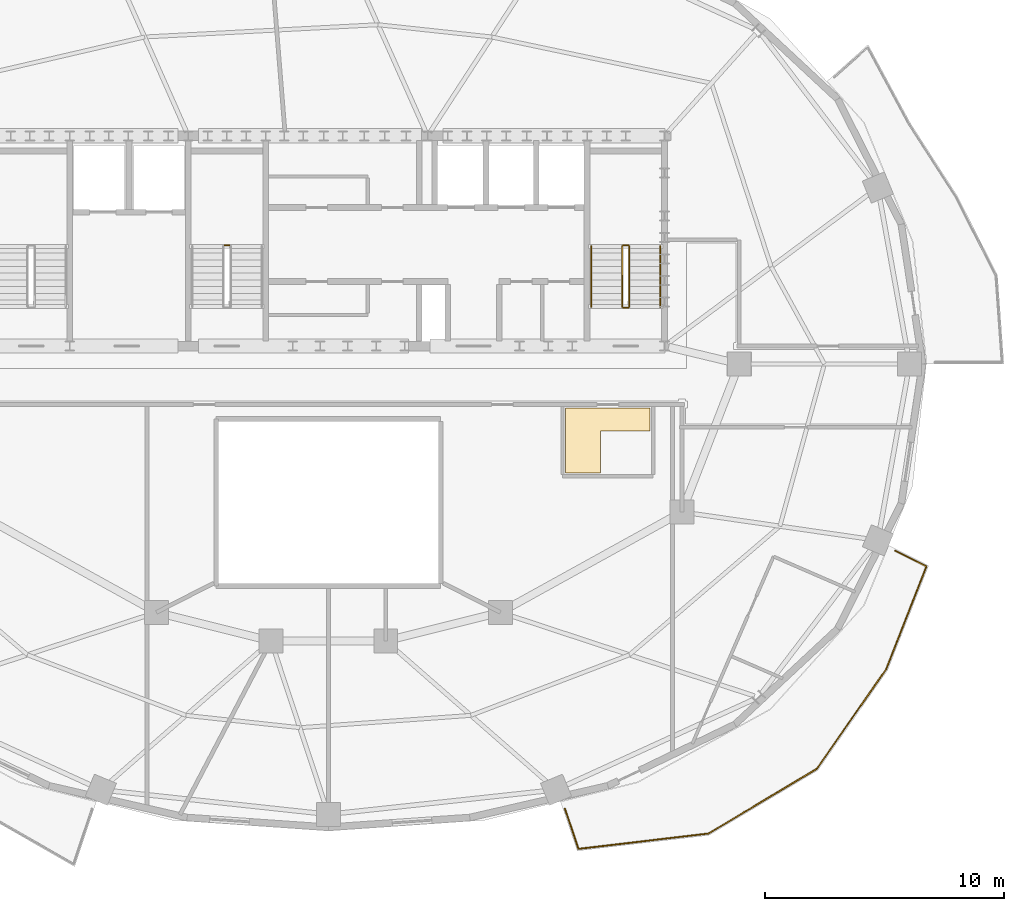
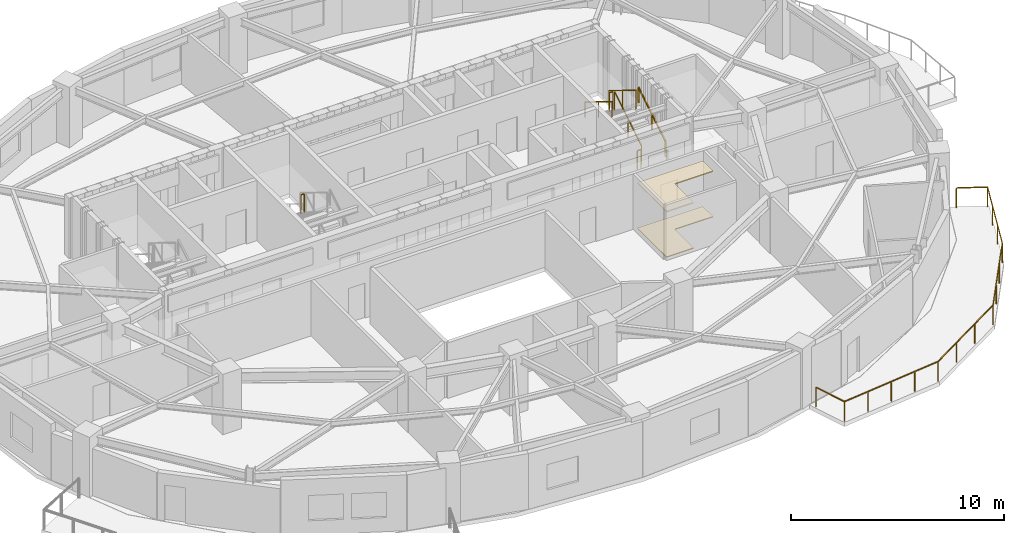
# One storey, part 8 of 9: 8 railings, 2 coverings.
"""IFC4 building model written with IfcOpenShell, lengths in metres."""

from ifc_helpers import new_model, si_unit, direction, frame, origin, origin_2d, place, context, subcontext, project, spatial, polyline, rectangle, outline, extrude, material, layer, layer_set, type_object, element, save


model = new_model("IFC4")

# Units and contexts
model_context = context("Model", 3, precision=1e-05, world=origin(), true_north=direction((0.0, 1.0)))
body_context = subcontext(model_context, "Body", "Model", "MODEL_VIEW")
ifc_project = project(units=[si_unit("LENGTHUNIT", "METRE"), si_unit("AREAUNIT", "SQUARE_METRE"), si_unit("VOLUMEUNIT", "CUBIC_METRE"), si_unit("PLANEANGLEUNIT", "RADIAN"), si_unit("MASSUNIT", "GRAM", prefix="KILO")], contexts=[model_context])

# Site, building, storey
site_placement = place(None, origin())
site = spatial("IfcSite", under=ifc_project, at=site_placement, CompositionType="ELEMENT")
building_placement = place(site_placement, origin())
building = spatial("IfcBuilding", under=site, at=building_placement, Name="Haldorwick Loom Tower", CompositionType="ELEMENT")
storey_placement = place(building_placement, frame((0.0, 0.0, 244.35009765625)))
storey = spatial("IfcBuildingStorey", under=building, at=storey_placement, Name="L66", CompositionType="ELEMENT", Elevation=244.35009765625)

# Coverings
ifc_material_1 = material(Name="Mineral Fibre Acoustic Ceiling Tile")
ifc_layer_1 = layer(ifc_material_1, 0.054931640625, Name="Mineral Fibre Acoustic Ceiling Tile")
ifc_layer_set_1 = layer_set([ifc_layer_1], Name="Mineral Fibre Acoustic Ceiling Tile")
covering_type_1 = type_object("IfcCoveringType", Name="ARC-COV-CEIL2", PredefinedType="CEILING", material=ifc_layer_set_1)
covering_1_placement = place(storey_placement, frame((0.0, 0.0, 2.594970703125)))
element("IfcCovering", 1, at=covering_1_placement, inside=storey, type_object=covering_type_1, Name="L66 Acoustic Suspended Ceiling 2", PredefinedType="CEILING", context=body_context, shape_type="SweptSolid", body=[
    extrude(outline(polyline([(45.929931640625, 24.159912109375), (45.929931640625, 21.429931640625), (47.39990234375, 21.429931640625), (47.39990234375, 23.199951171875), (49.469970703125, 23.199951171875), (49.469970703125, 24.159912109375), (45.929931640625, 24.159912109375)])), origin(), (0.0, 0.0, 1.0), 0.054931640625),
])
ifc_material_2 = material(Name="Polished Aggregate Terrazzo Finish")
ifc_layer_2 = layer(ifc_material_2, 0.044921875, Name="Polished Aggregate Terrazzo Finish")
ifc_layer_set_2 = layer_set([ifc_layer_2], Name="Polished Aggregate Terrazzo Finish")
covering_type_2 = type_object("IfcCoveringType", Name="ARC-COV-FLOOR2", PredefinedType="FLOORING", material=ifc_layer_set_2)
covering_2_placement = place(storey_placement, origin())
element("IfcCovering", 2, at=covering_2_placement, inside=storey, type_object=covering_type_2, Name="L66 Floor Finish 2", PredefinedType="FLOORING", context=body_context, shape_type="SweptSolid", body=[
    extrude(outline(polyline([(45.929931640625, 24.159912109375), (45.929931640625, 21.429931640625), (47.39990234375, 21.429931640625), (47.39990234375, 23.199951171875), (49.469970703125, 23.199951171875), (49.469970703125, 24.159912109375), (45.929931640625, 24.159912109375)])), origin(), (0.0, 0.0, 1.0), 0.044921875),
])

# Railings
ifc_material_3 = material(Name="Galvanized Steel CSA G40.21 350W", Category="steel")
railing_type_1 = type_object("IfcRailingType", Name="ARC-RLG-BAL115", PredefinedType="BALUSTRADE", material=ifc_material_3)
railing_1_placement = place(storey_placement, frame((59.7294921875, 18.181396484375, 0.0)))
element("IfcRailing", 3, at=railing_1_placement, inside=storey, type_object=railing_type_1, Name="L66 Outdoor Terrace Guardrail SLB-L66-BAL_SE-1", PredefinedType="BALUSTRADE", context=body_context, shape_type="SweptSolid", body=[
    extrude(rectangle(XDim=0.048095703125, YDim=0.048095703125, at=origin_2d()), frame((0.0, 0.0, 1.1259765625), z_axis=(0.892217486271, -0.451605975594, 0.0), x_axis=(0.451605975594, 0.892217486271, 0.0)), (0.0, 0.0, 1.0), 1.465576171875),
    extrude(rectangle(XDim=0.048095703125, YDim=0.048095703125, at=origin_2d()), frame((1.3076171875, -0.661865234375, 1.1259765625), z_axis=(-0.364986195899, -0.931012930524, 0.0), x_axis=(0.931012930524, -0.364986195899, 0.0)), (0.0, 0.0, 1.0), 4.626708984375),
    extrude(rectangle(XDim=0.048095703125, YDim=0.048095703125, at=origin_2d()), frame((-0.381103515625, -4.969482421875, 1.1259765625), z_axis=(-0.571702444027, -0.820461038376, 0.0), x_axis=(0.820461038376, -0.571702444027, 0.0)), (0.0, 0.0, 1.0), 5.077880859375),
    extrude(rectangle(XDim=0.048095703125, YDim=0.048095703125, at=origin_2d()), frame((-3.2841796875, -9.1357421875, 1.1259765625), z_axis=(-0.858652256334, -0.512558584644, 0.0), x_axis=(0.512558584644, -0.858652256334, 0.0)), (0.0, 0.0, 1.0), 5.28564453125),
    extrude(rectangle(XDim=0.048095703125, YDim=0.048095703125, at=origin_2d()), frame((-7.82275390625, -11.844970703125, 1.1259765625), z_axis=(-0.993094464477, -0.117317452346, 0.0), x_axis=(0.117317452346, -0.993094464477, 0.0)), (0.0, 0.0, 1.0), 5.47314453125),
    extrude(rectangle(XDim=0.048095703125, YDim=0.048095703125, at=origin_2d()), frame((-13.258056640625, -12.487060546875, 1.1259765625), z_axis=(-0.320860946785, 0.947126313027, 0.0), x_axis=(-0.947126313027, -0.320860946785, 0.0)), (0.0, 0.0, 1.0), 1.76904296875),
    extrude(rectangle(XDim=0.0419921875, YDim=0.0419921875, at=origin_2d()), origin(), (0.0, 0.0, 1.0), 1.101806640625),
    extrude(rectangle(XDim=0.0419921875, YDim=0.0419921875, at=origin_2d()), frame((1.3076171875, -0.661865234375, 0.0)), (0.0, 0.0, 1.0), 1.101806640625),
    extrude(rectangle(XDim=0.0419921875, YDim=0.0419921875, at=origin_2d()), frame((0.74462890625, -2.09765625, 0.0)), (0.0, 0.0, 1.0), 1.101806640625),
    extrude(rectangle(XDim=0.0419921875, YDim=0.0419921875, at=origin_2d()), frame((0.181884765625, -3.53369140625, 0.0)), (0.0, 0.0, 1.0), 1.101806640625),
    extrude(rectangle(XDim=0.0419921875, YDim=0.0419921875, at=origin_2d()), frame((-0.381103515625, -4.969482421875, 0.0)), (0.0, 0.0, 1.0), 1.101806640625),
    extrude(rectangle(XDim=0.0419921875, YDim=0.0419921875, at=origin_2d()), frame((-1.348876953125, -6.358154296875, 0.0)), (0.0, 0.0, 1.0), 1.101806640625),
    extrude(rectangle(XDim=0.0419921875, YDim=0.0419921875, at=origin_2d()), frame((-2.31640625, -7.7470703125, 0.0)), (0.0, 0.0, 1.0), 1.101806640625),
    extrude(rectangle(XDim=0.0419921875, YDim=0.0419921875, at=origin_2d()), frame((-3.2841796875, -9.1357421875, 0.0)), (0.0, 0.0, 1.0), 1.101806640625),
    extrude(rectangle(XDim=0.0419921875, YDim=0.0419921875, at=origin_2d()), frame((-4.797119140625, -10.038818359375, 0.0)), (0.0, 0.0, 1.0), 1.101806640625),
    extrude(rectangle(XDim=0.0419921875, YDim=0.0419921875, at=origin_2d()), frame((-6.309814453125, -10.94189453125, 0.0)), (0.0, 0.0, 1.0), 1.101806640625),
    extrude(rectangle(XDim=0.0419921875, YDim=0.0419921875, at=origin_2d()), frame((-7.82275390625, -11.844970703125, 0.0)), (0.0, 0.0, 1.0), 1.101806640625),
    extrude(rectangle(XDim=0.0419921875, YDim=0.0419921875, at=origin_2d()), frame((-9.181640625, -12.00537109375, 0.0)), (0.0, 0.0, 1.0), 1.101806640625),
    extrude(rectangle(XDim=0.0419921875, YDim=0.0419921875, at=origin_2d()), frame((-10.54052734375, -12.166015625, 0.0)), (0.0, 0.0, 1.0), 1.101806640625),
    extrude(rectangle(XDim=0.0419921875, YDim=0.0419921875, at=origin_2d()), frame((-11.899169921875, -12.32666015625, 0.0)), (0.0, 0.0, 1.0), 1.101806640625),
    extrude(rectangle(XDim=0.0419921875, YDim=0.0419921875, at=origin_2d()), frame((-13.258056640625, -12.487060546875, 0.0)), (0.0, 0.0, 1.0), 1.101806640625),
    extrude(rectangle(XDim=0.0419921875, YDim=0.0419921875, at=origin_2d()), frame((-13.82568359375, -10.8115234375, 0.0)), (0.0, 0.0, 1.0), 1.101806640625),
])
ifc_material_4 = material(Name="Steel CSA G40.21 350W", Category="steel")
railing_type_2 = type_object("IfcRailingType", Name="ARC-RLG-GUARD112", PredefinedType="GUARDRAIL", material=ifc_material_4)
railing_2_placement = place(storey_placement, frame((48.60009765625, 28.39990234375, 0.17236328125)))
element("IfcRailing", 4, at=railing_2_placement, inside=storey, type_object=railing_type_2, Name="L66 ST-02 stair guard 1", PredefinedType="GUARDRAIL", context=body_context, shape_type="SweptSolid", body=[
    extrude(rectangle(XDim=0.048095703125, YDim=0.048095703125, at=origin_2d()), frame((0.0, 0.0, 1.076171875), z_axis=(0.0, 0.851400495292, 0.524516154772), x_axis=(-1.0, 0.0, 0.0)), (0.0, 0.0, 1.0), 2.9599609375),
    extrude(rectangle(XDim=0.0419921875, YDim=0.0419921875, at=origin_2d()), origin(), (0.0, 0.0, 1.0), 1.052001953125),
    extrude(rectangle(XDim=0.0419921875, YDim=0.0419921875, at=origin_2d()), frame((0.0, 1.260009765625, 0.7763671875)), (0.0, 0.0, 1.0), 1.052001953125),
    extrude(rectangle(XDim=0.0419921875, YDim=0.0419921875, at=origin_2d()), frame((0.0, 2.52001953125, 1.552490234375)), (0.0, 0.0, 1.0), 1.052001953125),
])
railing_3_placement = place(storey_placement, frame((48.550048828125, 30.969970703125, 1.724853515625)))
element("IfcRailing", 5, at=railing_3_placement, inside=storey, type_object=railing_type_2, Name="L66 ST-02 stair guard 2", PredefinedType="GUARDRAIL", context=body_context, shape_type="SweptSolid", body=[
    extrude(rectangle(XDim=0.048095703125, YDim=0.048095703125, at=origin_2d()), frame((0.0, 0.0, 1.076171875), z_axis=(-1.0, 0.0, 0.0), x_axis=(0.0, -1.0, 0.0)), (0.0, 0.0, 1.0), 0.199951171875),
    extrude(rectangle(XDim=0.0419921875, YDim=0.0419921875, at=origin_2d()), origin(), (0.0, 0.0, 1.0), 1.052001953125),
    extrude(rectangle(XDim=0.0419921875, YDim=0.0419921875, at=origin_2d()), frame((-0.199951171875, 0.0, 0.0)), (0.0, 0.0, 1.0), 1.052001953125),
])
railing_4_placement = place(storey_placement, frame((48.300048828125, 30.919921875, 1.8974609375)))
element("IfcRailing", 6, at=railing_4_placement, inside=storey, type_object=railing_type_2, Name="L66 ST-02 stair guard 3", PredefinedType="GUARDRAIL", context=body_context, shape_type="SweptSolid", body=[
    extrude(rectangle(XDim=0.048095703125, YDim=0.048095703125, at=origin_2d()), frame((0.0, 0.0, 1.076171875), z_axis=(0.0, -0.851400495292, 0.524516154772), x_axis=(1.0, 0.0, 0.0)), (0.0, 0.0, 1.0), 2.9599609375),
    extrude(rectangle(XDim=0.0419921875, YDim=0.0419921875, at=origin_2d()), origin(), (0.0, 0.0, 1.0), 1.052001953125),
    extrude(rectangle(XDim=0.0419921875, YDim=0.0419921875, at=origin_2d()), frame((0.0, -1.260009765625, 0.7763671875)), (0.0, 0.0, 1.0), 1.052001953125),
    extrude(rectangle(XDim=0.0419921875, YDim=0.0419921875, at=origin_2d()), frame((0.0, -2.52001953125, 1.552490234375)), (0.0, 0.0, 1.0), 1.052001953125),
])
railing_5_placement = place(storey_placement, frame((48.550048828125, 28.35009765625, 0.0)))
element("IfcRailing", 7, at=railing_5_placement, inside=storey, type_object=railing_type_2, Name="L66 ST-02 stair guard 4", PredefinedType="GUARDRAIL", context=body_context, shape_type="SweptSolid", body=[
    extrude(rectangle(XDim=0.048095703125, YDim=0.048095703125, at=origin_2d()), frame((0.0, 0.0, 1.076171875), z_axis=(-1.0, 0.0, 0.0), x_axis=(0.0, -1.0, 0.0)), (0.0, 0.0, 1.0), 0.199951171875),
    extrude(rectangle(XDim=0.0419921875, YDim=0.0419921875, at=origin_2d()), origin(), (0.0, 0.0, 1.0), 1.052001953125),
    extrude(rectangle(XDim=0.0419921875, YDim=0.0419921875, at=origin_2d()), frame((-0.199951171875, 0.0, 0.0)), (0.0, 0.0, 1.0), 1.052001953125),
])
railing_6_placement = place(storey_placement, frame((31.85009765625, 30.969970703125, 1.724853515625)))
element("IfcRailing", 8, at=railing_6_placement, inside=storey, type_object=railing_type_2, Name="L66 ST-03 stair guard 2", PredefinedType="GUARDRAIL", context=body_context, shape_type="SweptSolid", body=[
    extrude(rectangle(XDim=0.048095703125, YDim=0.048095703125, at=origin_2d()), frame((0.0, 0.0, 1.076171875), z_axis=(-1.0, 0.0, 0.0), x_axis=(0.0, -1.0, 0.0)), (0.0, 0.0, 1.0), 0.2001953125),
    extrude(rectangle(XDim=0.0419921875, YDim=0.0419921875, at=origin_2d()), origin(), (0.0, 0.0, 1.0), 1.052001953125),
    extrude(rectangle(XDim=0.0419921875, YDim=0.0419921875, at=origin_2d()), frame((-0.2001953125, 0.0, 0.0)), (0.0, 0.0, 1.0), 1.052001953125),
])
railing_type_3 = type_object("IfcRailingType", Name="ARC-RLG-HAND092", PredefinedType="HANDRAIL", material=ifc_material_4)
railing_7_placement = place(storey_placement, frame((49.89990234375, 28.39990234375, 0.17236328125)))
element("IfcRailing", 9, at=railing_7_placement, inside=storey, type_object=railing_type_3, Name="L66 ST-02 stair handrail 1", PredefinedType="HANDRAIL", context=body_context, shape_type="SweptSolid", body=[
    extrude(rectangle(XDim=0.048095703125, YDim=0.048095703125, at=origin_2d()), frame((0.0, 0.0, 0.8759765625), z_axis=(0.0, 0.851400495292, 0.524516154772), x_axis=(-1.0, 0.0, 0.0)), (0.0, 0.0, 1.0), 2.9599609375),
    extrude(rectangle(XDim=0.0419921875, YDim=0.0419921875, at=origin_2d()), origin(), (0.0, 0.0, 1.0), 0.851806640625),
    extrude(rectangle(XDim=0.0419921875, YDim=0.0419921875, at=origin_2d()), frame((0.0, 1.260009765625, 0.7763671875)), (0.0, 0.0, 1.0), 0.851806640625),
    extrude(rectangle(XDim=0.0419921875, YDim=0.0419921875, at=origin_2d()), frame((0.0, 2.52001953125, 1.552490234375)), (0.0, 0.0, 1.0), 0.851806640625),
])
railing_8_placement = place(storey_placement, frame((47.0, 30.919921875, 1.8974609375)))
element("IfcRailing", 10, at=railing_8_placement, inside=storey, type_object=railing_type_3, Name="L66 ST-02 stair handrail 2", PredefinedType="HANDRAIL", context=body_context, shape_type="SweptSolid", body=[
    extrude(rectangle(XDim=0.048095703125, YDim=0.048095703125, at=origin_2d()), frame((0.0, 0.0, 0.8759765625), z_axis=(0.0, -0.851400495292, 0.524516154772), x_axis=(1.0, 0.0, 0.0)), (0.0, 0.0, 1.0), 2.9599609375),
    extrude(rectangle(XDim=0.0419921875, YDim=0.0419921875, at=origin_2d()), origin(), (0.0, 0.0, 1.0), 0.851806640625),
    extrude(rectangle(XDim=0.0419921875, YDim=0.0419921875, at=origin_2d()), frame((0.0, -1.260009765625, 0.7763671875)), (0.0, 0.0, 1.0), 0.851806640625),
    extrude(rectangle(XDim=0.0419921875, YDim=0.0419921875, at=origin_2d()), frame((0.0, -2.52001953125, 1.552490234375)), (0.0, 0.0, 1.0), 0.851806640625),
])

save(model, "model.ifc")
